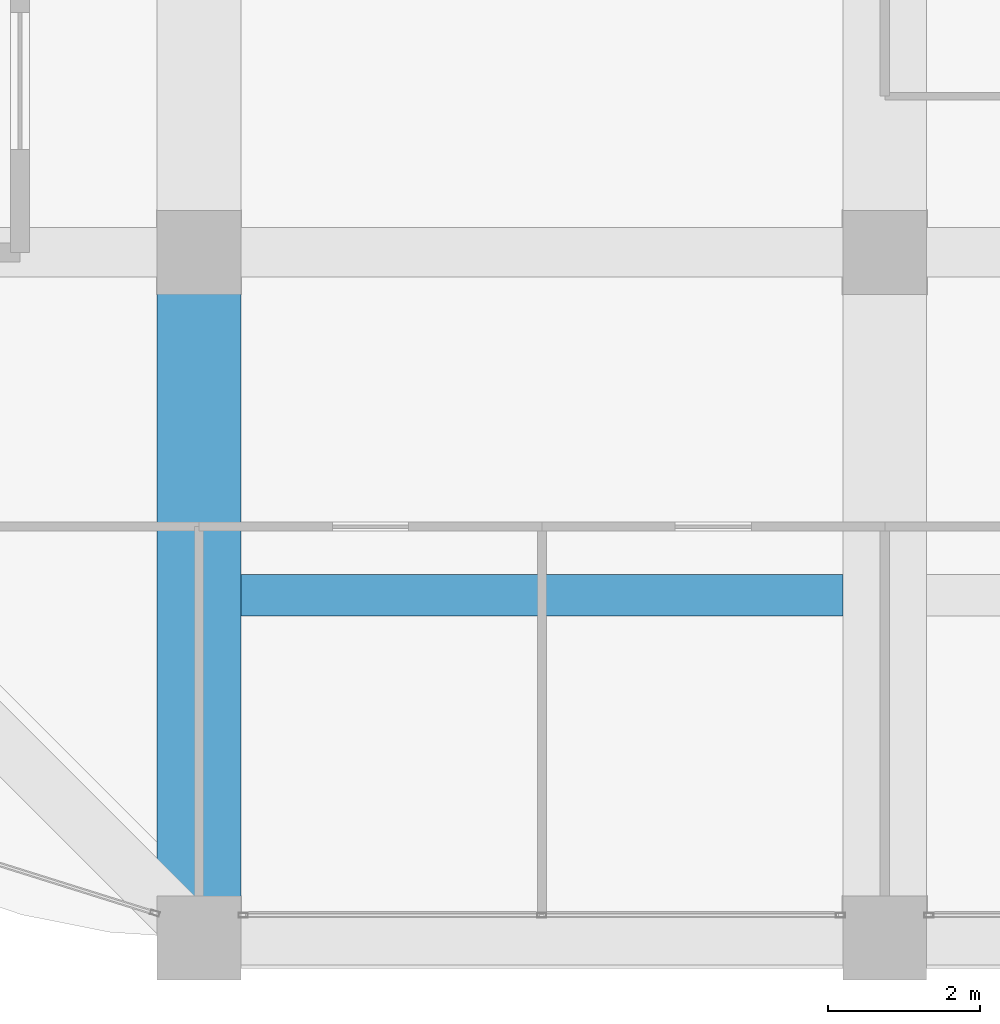
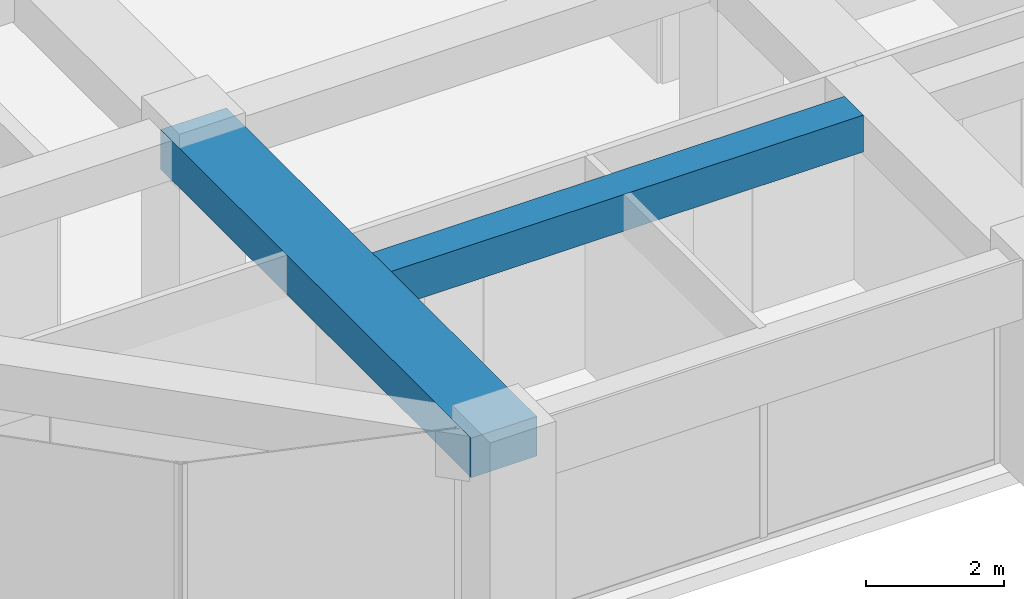
# One storey, part 5 of 44: 2 beams.
"""IFC4 building model written with IfcOpenShell, lengths in metres."""

from ifc_helpers import new_model, si_unit, direction, frame, origin, origin_2d, place, context, subcontext, project, spatial, rectangle, extrude, material, material_profile, profile_set, type_object, element, save


model = new_model("IFC4")

# Units and contexts
model_context = context("Model", 3, precision=1e-05, world=origin(), true_north=direction((0.0, 1.0)))
body_context = subcontext(model_context, "Body", "Model", "MODEL_VIEW")
ifc_project = project(units=[si_unit("LENGTHUNIT", "METRE"), si_unit("AREAUNIT", "SQUARE_METRE"), si_unit("VOLUMEUNIT", "CUBIC_METRE"), si_unit("PLANEANGLEUNIT", "RADIAN"), si_unit("MASSUNIT", "GRAM", prefix="KILO")], contexts=[model_context])

# Site, building, storey
site_placement = place(None, origin())
site = spatial("IfcSite", under=ifc_project, at=site_placement, CompositionType="ELEMENT")
building_placement = place(site_placement, origin())
building = spatial("IfcBuilding", under=site, at=building_placement, Name="Zorevar Civic Tower", CompositionType="ELEMENT")
storey_placement = place(building_placement, frame((0.0, 0.0, 275.39990234375)))
storey = spatial("IfcBuildingStorey", under=building, at=storey_placement, Name="L67", CompositionType="ELEMENT", Elevation=275.39990234375)

# Beams
ifc_material_1 = material(Name="Concrete C50/60", Category="concrete")
ifc_material_profile_1 = material_profile(ifc_material_1, rectangle(XDim=1.10009765625, YDim=0.699951171875, at=origin_2d()), Name="RC 1100x700")
ifc_profile_set_1 = profile_set([ifc_material_profile_1], Name="Concrete C50/60")
beam_type_1 = type_object("IfcBeamType", Name="Beam RC 1100x700", PredefinedType="BEAM", material=ifc_profile_set_1)
beam_1_placement = place(storey_placement, frame((18.0, 0.0, 3.400146484375), z_axis=(0.0, 1.0, 0.0), x_axis=(-1.0, 0.0, 0.0)))
element("IfcBeam", 1, at=beam_1_placement, inside=storey, type_object=beam_type_1, Name="Girder L68", PredefinedType="BEAM", context=body_context, shape_type="SweptSolid", body=[
    extrude(rectangle(XDim=1.10009765625, YDim=0.699951171875, at=origin_2d()), origin(), (0.0, 0.0, 1.0), 9.0),
])
ifc_material_2 = material(Name="Concrete C50/60", Category="concrete")
ifc_material_profile_2 = material_profile(ifc_material_2, rectangle(XDim=0.550048828125, YDim=0.64990234375, at=origin_2d()), Name="RC 550x650")
ifc_profile_set_2 = profile_set([ifc_material_profile_2], Name="Concrete C50/60")
beam_type_2 = type_object("IfcBeamType", Name="Beam RC 550x650", PredefinedType="BEAM", material=ifc_profile_set_2)
beam_2_placement = place(storey_placement, frame((18.550048828125, 4.5, 3.425048828125), z_axis=(1.0, 0.0, 0.0), x_axis=(0.0, 1.0, 0.0)))
element("IfcBeam", 2, at=beam_2_placement, inside=storey, type_object=beam_type_2, Name="Secondary beam L68", PredefinedType="BEAM", context=body_context, shape_type="SweptSolid", body=[
    extrude(rectangle(XDim=0.550048828125, YDim=0.64990234375, at=origin_2d()), origin(), (0.0, 0.0, 1.0), 7.89990234375),
])

save(model, "model.ifc")
